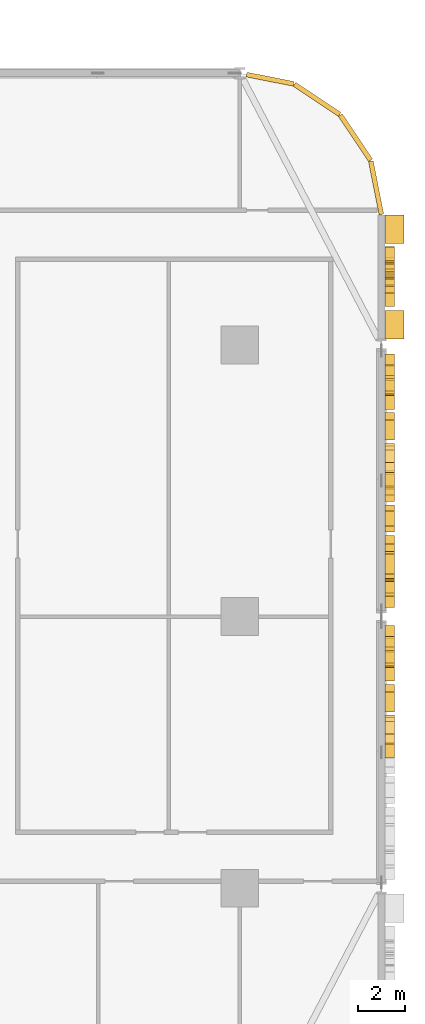
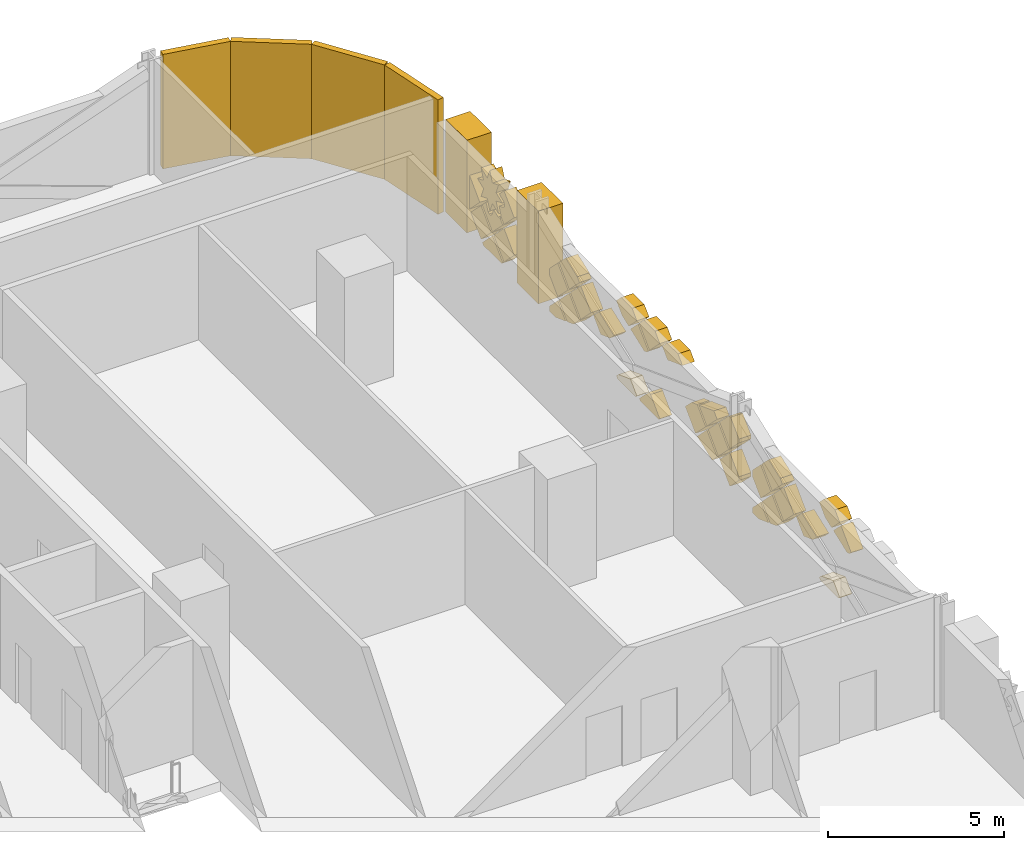
# One storey, part 31 of 31: 40 coverings.
"""IFC4 building model written with IfcOpenShell, lengths in metres."""

from ifc_helpers import new_model, si_unit, direction, frame, origin, origin_2d, place, context, subcontext, project, spatial, polyline, rectangle, outline, extrude, material, layer, layer_set, type_object, element, save


model = new_model("IFC4")

# Units and contexts
model_context = context("Model", 3, precision=1e-05, world=origin(), true_north=direction((0.0, 1.0)))
body_context = subcontext(model_context, "Body", "Model", "MODEL_VIEW")
ifc_project = project(units=[si_unit("LENGTHUNIT", "METRE"), si_unit("AREAUNIT", "SQUARE_METRE"), si_unit("VOLUMEUNIT", "CUBIC_METRE"), si_unit("PLANEANGLEUNIT", "RADIAN"), si_unit("MASSUNIT", "GRAM", prefix="KILO")], contexts=[model_context])

# Site, building, storey
site_placement = place(None, origin())
site = spatial("IfcSite", under=ifc_project, at=site_placement, CompositionType="ELEMENT")
building_placement = place(site_placement, origin())
building = spatial("IfcBuilding", under=site, at=building_placement, Name="Mahtab Terrace Research Tower", CompositionType="ELEMENT")
storey_placement = place(building_placement, frame((0.0, 0.0, 11.5)))
storey = spatial("IfcBuildingStorey", under=building, at=storey_placement, Name="L02", CompositionType="ELEMENT", Elevation=11.5)

# Coverings
ifc_material_1 = material(Name="Black aluminium cladding panel", Category="aluminium")
ifc_layer_1 = layer(ifc_material_1, 0.199951171875)
ifc_layer_set_1 = layer_set([ifc_layer_1], Name="Black metal corner cladding 200")
covering_type_1 = type_object("IfcCoveringType", Name="Black metal corner cladding 200", PredefinedType="CLADDING", material=ifc_layer_set_1)
for number, where, z_axis, x_axis, name in (
    (1, (46.89306640625, 20.26953125, 0.0), (0.0, 0.0, 1.0), (-0.555291490808, 0.831655794326, 0.0), "Corner cladding L02 0"),
    (2, (45.26953125, 21.89306640625, 0.0), (0.0, 0.0, 1.0), (-0.831655794326, 0.555291490808, 0.0), "Corner cladding L02 1"),
):
    element("IfcCovering", number, at=place(storey_placement, frame(where, z_axis=z_axis, x_axis=x_axis)), inside=storey, type_object=covering_type_1, Name=name, PredefinedType="CLADDING", context=body_context, shape_type="SweptSolid", body=[
        extrude(rectangle(XDim=2.30126953125, YDim=0.199951171875, at=origin_2d()), origin(), (0.0, 0.0, 1.0), 3.9599609375),
    ])
covering_1_placement = place(storey_placement, frame((43.28173828125, 22.744873046875, 0.0), z_axis=(0.0, 0.0, 1.0), x_axis=(-0.980760981187, 0.195212442692, 0.0)))
element("IfcCovering", 3, at=covering_1_placement, inside=storey, type_object=covering_type_1, Name="Corner cladding L02 2", PredefinedType="CLADDING", context=body_context, shape_type="SweptSolid", body=[
    extrude(rectangle(XDim=2.0283203125, YDim=0.199951171875, at=origin_2d()), origin(), (0.0, 0.0, 1.0), 3.9599609375),
])
covering_2_placement = place(storey_placement, frame((47.771484375, 18.14794921875, 0.0), z_axis=(0.0, 0.0, 1.0), x_axis=(-0.195212442692, 0.980760981187, 0.0)))
element("IfcCovering", 4, at=covering_2_placement, inside=storey, type_object=covering_type_1, Name="Corner cladding L02 37", PredefinedType="CLADDING", context=body_context, shape_type="SweptSolid", body=[
    extrude(rectangle(XDim=2.30126953125, YDim=0.199951171875, at=origin_2d()), origin(), (0.0, 0.0, 1.0), 3.9599609375),
])
ifc_material_2 = material(Name="Bronze anodised aluminium", Category="aluminium")
ifc_layer_2 = layer(ifc_material_2, 0.39990234375)
ifc_layer_set_2 = layer_set([ifc_layer_2], Name="Mashrabiya relief panel 400")
covering_type_2 = type_object("IfcCoveringType", Name="Mashrabiya relief panel 400", PredefinedType="CLADDING", material=ifc_layer_set_2)
covering_3_placement = place(storey_placement, frame((48.14990234375, -5.98095703125, 2.14990234375), z_axis=(-1.0, 0.0, 0.0), x_axis=(0.0, 0.707106781187, 0.707106781187)))
element("IfcCovering", 5, at=covering_3_placement, inside=storey, type_object=covering_type_2, Name="Mashrabiya lattice cell L02 E34.10", PredefinedType="CLADDING", context=body_context, shape_type="SweptSolid", body=[
    extrude(outline(polyline([(0.0, 0.0), (0.8203543516109556, 0.0), (0.8203543516109556, 0.6107772929292005), (0.06163015646572205, 0.2649924094534547), (0.00017263349150060947, 0.12999301909996835), (0.0, 0.0)])), origin(), (0.0, 0.0, -1.0), 0.39990234375),
])
covering_4_placement = place(storey_placement, frame((48.14990234375, -5.3310546875, 0.199951171875), z_axis=(-1.0, 0.0, 0.0), x_axis=(0.0, 0.707106781187, 0.707106781187)))
element("IfcCovering", 6, at=covering_4_placement, inside=storey, type_object=covering_type_2, Name="Mashrabiya lattice cell L02 E34.11", PredefinedType="CLADDING", context=body_context, shape_type="SweptSolid", body=[
    extrude(outline(polyline([(0.0, 0.0), (0.5147930716548547, 0.0), (0.820181718119455, 0.6703358474969151), (0.8203543516109556, 0.8203543516109556), (0.7283407006411241, 0.820181718119455), (0.0, 0.09184101747833089), (0.0, 0.0)])), origin(), (0.0, 0.0, -1.0), 0.39990234375),
])
covering_5_placement = place(storey_placement, frame((48.14990234375, -5.3310546875, 2.800048828125), z_axis=(-1.0, 0.0, 0.0), x_axis=(0.0, 0.707106781187, 0.707106781187)))
element("IfcCovering", 7, at=covering_5_placement, inside=storey, type_object=covering_type_2, Name="Mashrabiya lattice cell L02 E34.12", PredefinedType="CLADDING", context=body_context, shape_type="SweptSolid", body=[
    extrude(outline(polyline([(0.0, 0.0), (0.3791031473353658, 0.0), (0.8203543516109556, 0.4412512042755897), (0.8203543516109556, 0.8203543516109556), (0.3606313637447992, 0.820181718119455), (0.0, 0.6563525346853647), (0.0, 0.0)])), origin(), (0.0, 0.0, -1.0), 0.39990234375),
])
covering_6_placement = place(storey_placement, frame((48.14990234375, -4.031005859375, 1.5), z_axis=(-1.0, 0.0, 0.0), x_axis=(0.0, 0.93702826663, 0.349253529024)))
element("IfcCovering", 8, at=covering_6_placement, inside=storey, type_object=covering_type_2, Name="Mashrabiya lattice cell L02 E34.13", PredefinedType="CLADDING", context=body_context, shape_type="SweptSolid", body=[
    extrude(outline(polyline([(0.0, 0.0), (0.9017558308712423, -5.551115123125783e-17), (1.086870433291092, 0.40510339755721136), (0.553242009378479, 0.6491381405892371), (0.12814522477591145, 0.2804320418748758), (0.0, 0.0)])), origin(), (0.0, 0.0, -1.0), 0.39990234375),
])
covering_7_placement = place(storey_placement, frame((48.14990234375, -2.15087890625, 2.080078125), z_axis=(-1.0, 0.0, 0.0), x_axis=(0.0, 0.706957932274, -0.707255598772)))
element("IfcCovering", 9, at=covering_7_placement, inside=storey, type_object=covering_type_2, Name="Mashrabiya lattice cell L02 E34.14", PredefinedType="CLADDING", context=body_context, shape_type="SweptSolid", body=[
    extrude(outline(polyline([(0.0, 0.0), (0.8201817362875763, 0.0), (0.8205270032629295, 0.8201816636150915), (0.00017266982391900276, 0.8203543334390104), (0.0, 0.0)])), origin(), (0.0, 0.0, -1.0), 0.39990234375),
])
covering_8_placement = place(storey_placement, frame((48.14990234375, -2.0810546875, 0.85009765625), z_axis=(-1.0, 0.0, 0.0), x_axis=(0.0, 0.707255598772, 0.706957932274)))
element("IfcCovering", 10, at=covering_8_placement, inside=storey, type_object=covering_type_2, Name="Mashrabiya lattice cell L02 E34.15", PredefinedType="CLADDING", context=body_context, shape_type="SweptSolid", body=[
    extrude(outline(polyline([(0.0, 0.0), (0.8201817362875763, 0.0), (0.8205270032629295, 0.8201816636150915), (0.15139960502858502, 0.8203225028906618), (-6.991093039140917e-05, 0.4880349059978759), (0.0, 0.0)])), origin(), (0.0, 0.0, -1.0), 0.39990234375),
])
covering_9_placement = place(storey_placement, frame((48.14990234375, -0.9208984375, 2.14990234375), z_axis=(-1.0, 0.0, 0.0), x_axis=(0.0, -0.707255598772, -0.706957932274)))
element("IfcCovering", 11, at=covering_9_placement, inside=storey, type_object=covering_type_2, Name="Mashrabiya lattice cell L02 E34.16", PredefinedType="CLADDING", context=body_context, shape_type="SweptSolid", body=[
    extrude(outline(polyline([(0.0, 0.0), (0.8201817362875763, 0.0), (0.8205270032629295, 0.8201816636150915), (0.64236924398072, 0.8202191626172557), (0.00011104355679636413, 0.5275679383395656), (0.0, 0.0)])), origin(), (0.0, 0.0, -1.0), 0.39990234375),
])
covering_10_placement = place(storey_placement, frame((48.14990234375, -0.85107421875, 0.780029296875), z_axis=(-1.0, 0.0, 0.0), x_axis=(0.0, 0.707106781187, -0.707106781187)))
element("IfcCovering", 12, at=covering_10_placement, inside=storey, type_object=covering_type_2, Name="Mashrabiya lattice cell L02 E34.17", PredefinedType="CLADDING", context=body_context, shape_type="SweptSolid", body=[
    extrude(outline(polyline([(0.0, 0.0), (0.6604957384813797, 0.0), (0.786345553785333, 0.1258498153039534), (0.5303300858899107, 0.3818652831993758), (0.0, 0.6235521713002465), (0.0, 0.0)])), origin(), (0.0, 0.0, -1.0), 0.39990234375),
])
covering_11_placement = place(storey_placement, frame((48.14990234375, -0.85107421875, 0.919921875), z_axis=(-1.0, 0.0, 0.0), x_axis=(0.0, -0.706957932274, 0.707255598772)))
element("IfcCovering", 13, at=covering_11_placement, inside=storey, type_object=covering_type_2, Name="Mashrabiya lattice cell L02 E34.18", PredefinedType="CLADDING", context=body_context, shape_type="SweptSolid", body=[
    extrude(outline(polyline([(0.0, 0.0), (0.8201817362875763, 0.0), (0.8205270032629295, 0.8201816636150915), (0.16003127941241302, 0.8203206860785415), (0.00013902246344993374, 0.6604957238505165), (0.0, 0.0)])), origin(), (0.0, 0.0, -1.0), 0.39990234375),
])
covering_12_placement = place(storey_placement, frame((48.14990234375, 0.89892578125, 1.429931640625), z_axis=(-1.0, 0.0, 0.0), x_axis=(0.0, 0.707255598772, -0.706957932274)))
element("IfcCovering", 14, at=covering_12_placement, inside=storey, type_object=covering_type_2, Name="Mashrabiya lattice cell L02 E35.1", PredefinedType="CLADDING", context=body_context, shape_type="SweptSolid", body=[
    extrude(outline(polyline([(0.0, 0.0), (0.8201817362875763, 0.0), (0.8200090664636573, 0.8203543334390104), (0.09184101544392964, 0.8202010671685369), (-0.0001532662704735177, 0.7281680510197277), (0.0, 0.0)])), origin(), (0.0, 0.0, -1.0), 0.39990234375),
])
covering_13_placement = place(storey_placement, frame((48.14990234375, 1.47900390625, 2.14990234375), z_axis=(-1.0, 0.0, 0.0), x_axis=(0.0, -0.707255598772, -0.706957932274)))
element("IfcCovering", 15, at=covering_13_placement, inside=storey, type_object=covering_type_2, Name="Mashrabiya lattice cell L02 E35.2", PredefinedType="CLADDING", context=body_context, shape_type="SweptSolid", body=[
    extrude(outline(polyline([(0.0, 0.0), (0.8201817362875763, 0.0), (0.8203350025580498, 0.7281680510197277), (0.7283407208436468, 0.8202010671685369), (0.06093965748606789, 0.8203415430816832), (0.0001444002273262024, 0.6860454800266472), (0.0, 0.0)])), origin(), (0.0, 0.0, -1.0), 0.39990234375),
])
covering_14_placement = place(storey_placement, frame((48.14990234375, 1.549072265625, 2.080078125), z_axis=(-1.0, 0.0, 0.0), x_axis=(0.0, 0.706957932274, -0.707255598772)))
element("IfcCovering", 16, at=covering_14_placement, inside=storey, type_object=covering_type_2, Name="Mashrabiya lattice cell L02 E35.3", PredefinedType="CLADDING", context=body_context, shape_type="SweptSolid", body=[
    extrude(outline(polyline([(0.0, 0.0), (0.8201817362875763, 0.0), (0.8205270032629295, 0.8201816636150915), (0.00017266982391900276, 0.8203543334390104), (0.0, 0.0)])), origin(), (0.0, 0.0, -1.0), 0.39990234375),
])
covering_15_placement = place(storey_placement, frame((48.14990234375, 1.618896484375, 0.85009765625), z_axis=(-1.0, 0.0, 0.0), x_axis=(0.0, 0.707255598772, 0.706957932274)))
element("IfcCovering", 17, at=covering_15_placement, inside=storey, type_object=covering_type_2, Name="Mashrabiya lattice cell L02 E35.4", PredefinedType="CLADDING", context=body_context, shape_type="SweptSolid", body=[
    extrude(outline(polyline([(0.0, 0.0), (0.8201817362875763, 0.0), (0.8205171924774795, 0.7735706219424204), (8.430008238469178e-05, 0.4005096914096179), (0.0, 0.0)])), origin(), (0.0, 0.0, -1.0), 0.39990234375),
])
covering_16_placement = place(storey_placement, frame((48.14990234375, 2.198974609375, 1.570068359375), z_axis=(-1.0, 0.0, 0.0), x_axis=(0.0, -0.707255598772, 0.706957932274)))
element("IfcCovering", 18, at=covering_16_placement, inside=storey, type_object=covering_type_2, Name="Mashrabiya lattice cell L02 E35.5", PredefinedType="CLADDING", context=body_context, shape_type="SweptSolid", body=[
    extrude(outline(polyline([(0.0, 0.0), (0.8201817362875763, 0.0), (0.8201272319239655, 0.2589502315148392), (-0.00013306331969514806, 0.6321838318715607), (0.0, 0.0)])), origin(), (0.0, 0.0, -1.0), 0.39990234375),
])
covering_17_placement = place(storey_placement, frame((48.14990234375, 2.26904296875, 1.5), z_axis=(-1.0, 0.0, 0.0), x_axis=(0.0, 0.707106781187, 0.707106781187)))
element("IfcCovering", 19, at=covering_17_placement, inside=storey, type_object=covering_type_2, Name="Mashrabiya lattice cell L02 E35.6", PredefinedType="CLADDING", context=body_context, shape_type="SweptSolid", body=[
    extrude(outline(polyline([(0.0, 0.0), (0.6774138206484406, 0.0), (0.820181718119455, 0.3126392531076264), (0.820181718119455, 0.820181718119455), (-0.0001726334915006511, 0.81880065018745), (0.0, 0.0)])), origin(), (0.0, 0.0, -1.0), 0.39990234375),
])
covering_18_placement = place(storey_placement, frame((48.14990234375, 4.72900390625, 2.800048828125), z_axis=(-1.0, 0.0, 0.0), x_axis=(0.0, -0.707106781187, -0.707106781187)))
element("IfcCovering", 20, at=covering_18_placement, inside=storey, type_object=covering_type_2, Name="Mashrabiya lattice cell L02 E35.7", PredefinedType="CLADDING", context=body_context, shape_type="SweptSolid", body=[
    extrude(outline(polyline([(0.0, 0.0), (0.4243331221085288, 0.0), (0.7977393642243741, 0.820181718119455), (0.4412512042755897, 0.8203543516109556), (0.0, 0.3791031473353658), (0.0, 0.0)])), origin(), (0.0, 0.0, -1.0), 0.39990234375),
])
covering_19_placement = place(storey_placement, frame((48.14990234375, 4.868896484375, 0.199951171875), z_axis=(-1.0, 0.0, 0.0), x_axis=(0.0, 0.707271781012, 0.70694174285)))
element("IfcCovering", 21, at=covering_19_placement, inside=storey, type_object=covering_type_2, Name="Mashrabiya lattice cell L02 E35.8", PredefinedType="CLADDING", context=body_context, shape_type="SweptSolid", body=[
    extrude(outline(polyline([(0.0, 0.0), (0.7397345312240962, 0.0), (0.8203629508740169, 0.03675211825696212), (0.8205457771897919, 0.8201628813534925), (0.7287047622124111, 0.8201843144958443), (0.0001941069170129303, 0.09201360817631885), (0.0, 0.0)])), origin(), (0.0, 0.0, -1.0), 0.39990234375),
])
covering_20_placement = place(storey_placement, frame((48.14990234375, 6.029052734375, 2.800048828125), z_axis=(-1.0, 0.0, 0.0), x_axis=(0.0, -0.707106781187, -0.707106781187)))
element("IfcCovering", 22, at=covering_20_placement, inside=storey, type_object=covering_type_2, Name="Mashrabiya lattice cell L02 E35.9", PredefinedType="CLADDING", context=body_context, shape_type="SweptSolid", body=[
    extrude(outline(polyline([(0.0, 0.0), (0.8203543516109556, 0.0), (0.8203543516109556, 0.8203543516109556), (0.4412512042755897, 0.8203543516109556), (0.0, 0.3791031473353658), (0.0, 0.0)])), origin(), (0.0, 0.0, -1.0), 0.39990234375),
])
covering_21_placement = place(storey_placement, frame((48.14990234375, 5.51904296875, 2.14990234375), z_axis=(-1.0, 0.0, 0.0), x_axis=(0.0, 0.707106781187, 0.707106781187)))
element("IfcCovering", 23, at=covering_21_placement, inside=storey, type_object=covering_type_2, Name="Mashrabiya lattice cell L02 E35.10", PredefinedType="CLADDING", context=body_context, shape_type="SweptSolid", body=[
    extrude(outline(polyline([(0.0, 0.0), (0.8203543516109556, 0.0), (0.8203543516109556, 0.6107772929292005), (0.06163015646572205, 0.2649924094534547), (0.00017263349150060947, 0.12999301909996835), (0.0, 0.0)])), origin(), (0.0, 0.0, -1.0), 0.39990234375),
])
covering_22_placement = place(storey_placement, frame((48.14990234375, 6.1689453125, 0.199951171875), z_axis=(-1.0, 0.0, 0.0), x_axis=(0.0, 0.707106781187, 0.707106781187)))
element("IfcCovering", 24, at=covering_22_placement, inside=storey, type_object=covering_type_2, Name="Mashrabiya lattice cell L02 E35.11", PredefinedType="CLADDING", context=body_context, shape_type="SweptSolid", body=[
    extrude(outline(polyline([(0.0, 0.0), (0.5147930716548547, 0.0), (0.820181718119455, 0.6703358474969151), (0.8203543516109556, 0.8203543516109556), (0.7283407006411241, 0.820181718119455), (0.0, 0.09184101747833089), (0.0, 0.0)])), origin(), (0.0, 0.0, -1.0), 0.39990234375),
])
covering_23_placement = place(storey_placement, frame((48.14990234375, 6.1689453125, 2.800048828125), z_axis=(-1.0, 0.0, 0.0), x_axis=(0.0, 0.707106781187, 0.707106781187)))
element("IfcCovering", 25, at=covering_23_placement, inside=storey, type_object=covering_type_2, Name="Mashrabiya lattice cell L02 E35.12", PredefinedType="CLADDING", context=body_context, shape_type="SweptSolid", body=[
    extrude(outline(polyline([(0.0, 0.0), (0.3791031473353658, 0.0), (0.8203543516109556, 0.4412512042755897), (0.8203543516109556, 0.8203543516109556), (0.3606313637447992, 0.820181718119455), (0.0, 0.6563525346853647), (0.0, 0.0)])), origin(), (0.0, 0.0, -1.0), 0.39990234375),
])
covering_24_placement = place(storey_placement, frame((48.14990234375, 7.468994140625, 1.5), z_axis=(-1.0, 0.0, 0.0), x_axis=(0.0, 0.93702826663, 0.349253529024)))
element("IfcCovering", 26, at=covering_24_placement, inside=storey, type_object=covering_type_2, Name="Mashrabiya lattice cell L02 E35.13", PredefinedType="CLADDING", context=body_context, shape_type="SweptSolid", body=[
    extrude(outline(polyline([(0.0, 0.0), (0.9017558308712423, -5.551115123125783e-17), (1.086870433291092, 0.40510339755721136), (0.553242009378479, 0.6491381405892371), (0.12814522477591145, 0.2804320418748758), (0.0, 0.0)])), origin(), (0.0, 0.0, -1.0), 0.39990234375),
])
covering_25_placement = place(storey_placement, frame((48.14990234375, 9.34912109375, 2.080078125), z_axis=(-1.0, 0.0, 0.0), x_axis=(0.0, 0.706957932274, -0.707255598772)))
element("IfcCovering", 27, at=covering_25_placement, inside=storey, type_object=covering_type_2, Name="Mashrabiya lattice cell L02 E35.14", PredefinedType="CLADDING", context=body_context, shape_type="SweptSolid", body=[
    extrude(outline(polyline([(0.0, 0.0), (0.8201817362875763, 0.0), (0.8205270032629295, 0.8201816636150915), (0.00017266982391900276, 0.8203543334390104), (0.0, 0.0)])), origin(), (0.0, 0.0, -1.0), 0.39990234375),
])
covering_26_placement = place(storey_placement, frame((48.14990234375, 9.4189453125, 0.85009765625), z_axis=(-1.0, 0.0, 0.0), x_axis=(0.0, 0.707255598772, 0.706957932274)))
element("IfcCovering", 28, at=covering_26_placement, inside=storey, type_object=covering_type_2, Name="Mashrabiya lattice cell L02 E35.15", PredefinedType="CLADDING", context=body_context, shape_type="SweptSolid", body=[
    extrude(outline(polyline([(0.0, 0.0), (0.8201817362875763, 0.0), (0.8205270032629295, 0.8201816636150915), (0.15139960502858502, 0.8203225028906618), (-6.991093039140917e-05, 0.4880349059978759), (0.0, 0.0)])), origin(), (0.0, 0.0, -1.0), 0.39990234375),
])
covering_27_placement = place(storey_placement, frame((48.14990234375, 10.5791015625, 2.14990234375), z_axis=(-1.0, 0.0, 0.0), x_axis=(0.0, -0.707255598772, -0.706957932274)))
element("IfcCovering", 29, at=covering_27_placement, inside=storey, type_object=covering_type_2, Name="Mashrabiya lattice cell L02 E35.16", PredefinedType="CLADDING", context=body_context, shape_type="SweptSolid", body=[
    extrude(outline(polyline([(0.0, 0.0), (0.8201817362875763, 0.0), (0.8205270032629295, 0.8201816636150915), (0.64236924398072, 0.8202191626172557), (0.00011104355679636413, 0.5275679383395656), (0.0, 0.0)])), origin(), (0.0, 0.0, -1.0), 0.39990234375),
])
covering_28_placement = place(storey_placement, frame((48.14990234375, 10.64892578125, 0.780029296875), z_axis=(-1.0, 0.0, 0.0), x_axis=(0.0, 0.707106781187, -0.707106781187)))
element("IfcCovering", 30, at=covering_28_placement, inside=storey, type_object=covering_type_2, Name="Mashrabiya lattice cell L02 E35.17", PredefinedType="CLADDING", context=body_context, shape_type="SweptSolid", body=[
    extrude(outline(polyline([(0.0, 0.0), (0.6604957384813797, 0.0), (0.786345553785333, 0.1258498153039534), (0.5303300858899107, 0.3818652831993758), (0.0, 0.6235521713002465), (0.0, 0.0)])), origin(), (0.0, 0.0, -1.0), 0.39990234375),
])
covering_29_placement = place(storey_placement, frame((48.14990234375, 10.64892578125, 0.919921875), z_axis=(-1.0, 0.0, 0.0), x_axis=(0.0, -0.706957932274, 0.707255598772)))
element("IfcCovering", 31, at=covering_29_placement, inside=storey, type_object=covering_type_2, Name="Mashrabiya lattice cell L02 E35.18", PredefinedType="CLADDING", context=body_context, shape_type="SweptSolid", body=[
    extrude(outline(polyline([(0.0, 0.0), (0.8201817362875763, 0.0), (0.8205270032629295, 0.8201816636150915), (0.16003127941241302, 0.8203206860785415), (0.00013902246344993374, 0.6604957238505165), (0.0, 0.0)])), origin(), (0.0, 0.0, -1.0), 0.39990234375),
])
covering_30_placement = place(storey_placement, frame((48.14990234375, 14.64404296875, 2.60107421875), z_axis=(-1.0, 0.0, 0.0), x_axis=(0.0, 0.924691461768, 0.380717349925)))
element("IfcCovering", 32, at=covering_30_placement, inside=storey, type_object=covering_type_2, Name="Girih star panel L02 E36.1", PredefinedType="CLADDING", context=body_context, shape_type="SweptSolid", body=[
    extrude(outline(polyline([(0.0, 0.0), (0.3783462161056796, 2.7755575615628914e-17), (0.11208841562376498, 0.2689856047531158), (0.3794805037610448, 0.5359074361332754), (0.001665512373961231, 0.5371822494259442), (0.00134680905079404, 0.9156612717112728), (-0.26732009237915455, 0.6492706650497092), (-0.5342419237593141, 0.9166627531869891), (-0.535516737051983, 0.5388477617999055), (-0.9140887079090707, 0.5387548132281463), (-0.647605152675748, 0.2698621570467897), (-0.9149972408130278, 0.0029403256666300503), (-0.5371822494259442, 0.001665512373961231), (-0.537089300854185, -0.3769064584831264), (-0.26819664467282844, -0.11042290324980375), (-0.0012748132926687916, -0.3778149913870835), (0.0, 0.0)])), origin(), (0.0, 0.0, -1.0), 0.39990234375),
])
covering_31_placement = place(storey_placement, frame((48.14990234375, 13.698974609375, 1.429931640625), z_axis=(-1.0, 0.0, 0.0), x_axis=(0.0, 0.707255598772, -0.706957932274)))
element("IfcCovering", 33, at=covering_31_placement, inside=storey, type_object=covering_type_2, Name="Mashrabiya lattice cell L02 E36.2", PredefinedType="CLADDING", context=body_context, shape_type="SweptSolid", body=[
    extrude(outline(polyline([(0.0, 0.0), (0.8201817362875763, 0.0), (0.8200090664636573, 0.8203543334390104), (-0.0003452669753531423, 0.8201816636150915), (0.0, 0.0)])), origin(), (0.0, 0.0, -1.0), 0.39990234375),
])
covering_32_placement = place(storey_placement, frame((48.14990234375, 13.698974609375, 1.570068359375), z_axis=(-1.0, 0.0, 0.0), x_axis=(0.0, -0.707255598772, 0.706957932274)))
element("IfcCovering", 34, at=covering_32_placement, inside=storey, type_object=covering_type_2, Name="Mashrabiya lattice cell L02 E36.3", PredefinedType="CLADDING", context=body_context, shape_type="SweptSolid", body=[
    extrude(outline(polyline([(0.0, 0.0), (0.8201817362875763, 0.0), (0.8200090664636573, 0.8203543334390104), (0.4452217283816044, 0.820448080944421), (0.5448873902654984, 0.5537503084960056), (0.5231514860924261, 0.47813226252712926), (0.46291297273984744, 0.4278832362646504), (0.37262685778100624, 0.422167327316545), (0.13350894737201133, 0.5196549221580671), (0.03515742203101589, 0.2841621333090679), (-0.0002235405632890347, 0.2418594798986174), (0.0, 0.0)])), origin(), (0.0, 0.0, -1.0), 0.39990234375),
])
covering_33_placement = place(storey_placement, frame((48.14990234375, 13.76904296875, 0.199951171875), z_axis=(-1.0, 0.0, 0.0), x_axis=(0.0, 0.707106781187, 0.707106781187)))
element("IfcCovering", 35, at=covering_33_placement, inside=storey, type_object=covering_type_2, Name="Mashrabiya lattice cell L02 E36.4", PredefinedType="CLADDING", context=body_context, shape_type="SweptSolid", body=[
    extrude(outline(polyline([(0.0, 0.0), (0.8203543516109556, 0.0), (0.820181718119455, 0.820181718119455), (0.7283407006411241, 0.820181718119455), (0.0, 0.09184101747833089), (0.0, 0.0)])), origin(), (0.0, 0.0, -1.0), 0.39990234375),
])
covering_34_placement = place(storey_placement, frame((48.14990234375, 14.928955078125, 1.5), z_axis=(-1.0, 0.0, 0.0), x_axis=(0.0, -0.706957932274, -0.707255598772)))
element("IfcCovering", 36, at=covering_34_placement, inside=storey, type_object=covering_type_2, Name="Mashrabiya lattice cell L02 E36.5", PredefinedType="CLADDING", context=body_context, shape_type="SweptSolid", body=[
    extrude(outline(polyline([(0.0, 0.0), (0.8201817362875763, 0.0), (0.8200090664636573, 0.8203543334390104), (0.6080151435968424, 0.8203097125333344), (0.586621090792337, 0.7609192870785395), (0.5470963431139162, 0.7213778974010961), (0.30042529066822354, 0.6158469119403185), (0.3978408670772946, 0.3769426586366778), (0.3888849280662249, 0.2771586132750213), (0.33451711605440615, 0.22138655083913433), (0.2573533990060128, 0.2049701272095052), (-0.00023662161055562625, 0.30400753546217874), (0.0, 0.0)])), origin(), (0.0, 0.0, -1.0), 0.39990234375),
])
covering_35_placement = place(storey_placement, frame((48.14990234375, 14.9990234375, 1.429931640625), z_axis=(-1.0, 0.0, 0.0), x_axis=(0.0, 0.707255598772, -0.706957932274)))
element("IfcCovering", 37, at=covering_35_placement, inside=storey, type_object=covering_type_2, Name="Mashrabiya lattice cell L02 E36.6", PredefinedType="CLADDING", context=body_context, shape_type="SweptSolid", body=[
    extrude(outline(polyline([(0.0, 0.0), (0.8201817362875763, 0.0), (0.8200090664636573, 0.8203543334390104), (-0.0003452669753531423, 0.8201816636150915), (0.0, 0.0)])), origin(), (0.0, 0.0, -1.0), 0.39990234375),
])
covering_36_placement = place(storey_placement, frame((48.14990234375, 15.64892578125, 0.919921875), z_axis=(-1.0, 0.0, 0.0), x_axis=(0.0, -0.706957932274, 0.707255598772)))
element("IfcCovering", 38, at=covering_36_placement, inside=storey, type_object=covering_type_2, Name="Mashrabiya lattice cell L02 E36.7", PredefinedType="CLADDING", context=body_context, shape_type="SweptSolid", body=[
    extrude(outline(polyline([(0.0, 0.0), (0.8201817362875763, 0.0), (0.8205270032629295, 0.8201816636150915), (0.7977393828896235, 0.8201864599990892), (4.796383997748149e-06, 0.022787620373305846), (0.0, 0.0)])), origin(), (0.0, 0.0, -1.0), 0.39990234375),
])
ifc_material_3 = material(Name="Glazed ceramic tile cladding", Category="masonry")
ifc_layer_3 = layer(ifc_material_3, 0.800048828125)
ifc_layer_set_3 = layer_set([ifc_layer_3], Name="Pishtaq frame pier 800")
covering_type_3 = type_object("IfcCoveringType", Name="Pishtaq frame pier 800", PredefinedType="CLADDING", material=ifc_layer_set_3)
for number, where, z_axis, x_axis, name in (
    (39, (48.550048828125, 12.34912109375, 0.00048828125), (0.0, 0.0, 1.0), (0.0, 1.0, 0.0), "Pishtaq frame pier 36a"),
    (40, (48.550048828125, 16.39990234375, 0.00048828125), (0.0, 0.0, 1.0), (0.0, 1.0, 0.0), "Pishtaq frame pier 36b"),
):
    element("IfcCovering", number, at=place(storey_placement, frame(where, z_axis=z_axis, x_axis=x_axis)), inside=storey, type_object=covering_type_3, Name=name, PredefinedType="CLADDING", context=body_context, shape_type="SweptSolid", body=[
        extrude(rectangle(XDim=1.199951171875, YDim=0.800048828125, at=origin_2d()), origin(), (0.0, 0.0, 1.0), 3.202880859375),
    ])

save(model, "model.ifc")
